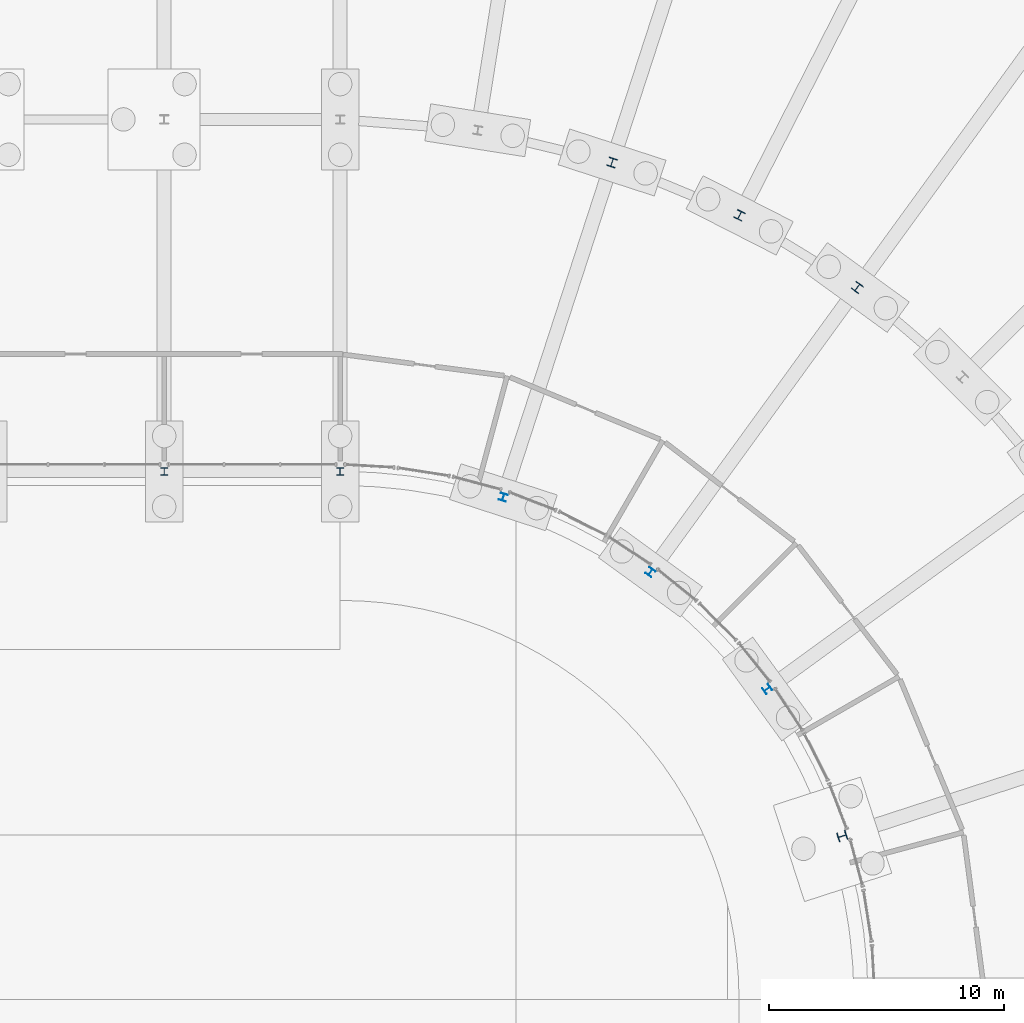
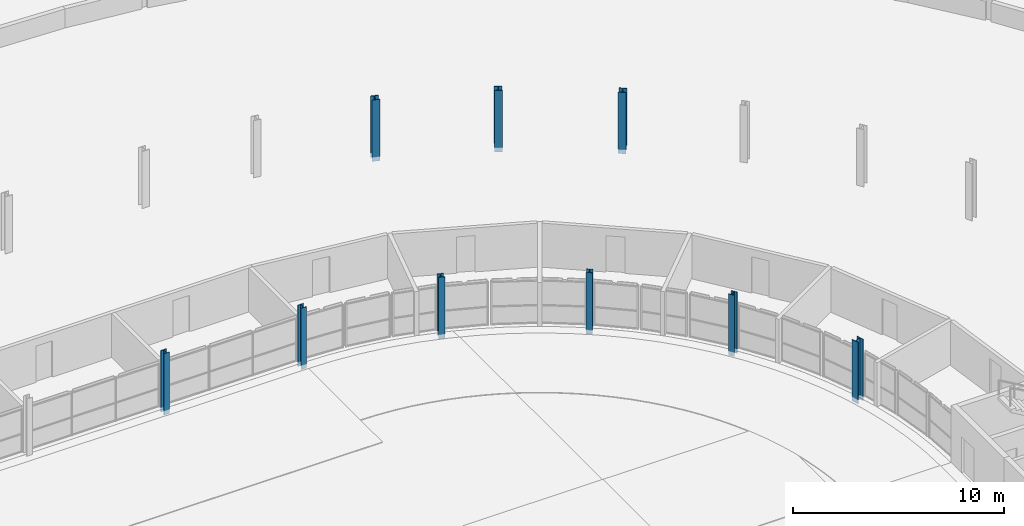
# One storey, part 34 of 130: 9 columns.
"""IFC4 building model written with IfcOpenShell, lengths in metres."""

from ifc_helpers import new_model, si_unit, direction, frame, origin, origin_2d, place, context, subcontext, project, spatial, i_section, extrude, material, material_profile, profile_set, type_object, element, save


model = new_model("IFC4")

# Units and contexts
model_context = context("Model", 3, precision=1e-05, world=origin(), true_north=direction((0.0, 1.0)))
body_context = subcontext(model_context, "Body", "Model", "MODEL_VIEW")
ifc_project = project(units=[si_unit("LENGTHUNIT", "METRE"), si_unit("AREAUNIT", "SQUARE_METRE"), si_unit("VOLUMEUNIT", "CUBIC_METRE"), si_unit("PLANEANGLEUNIT", "RADIAN"), si_unit("MASSUNIT", "GRAM", prefix="KILO")], contexts=[model_context])

# Site, building, storey
site_placement = place(None, origin())
site = spatial("IfcSite", under=ifc_project, at=site_placement, CompositionType="ELEMENT")
building_placement = place(site_placement, origin())
building = spatial("IfcBuilding", under=site, at=building_placement, Name="Parallax Yard Mobility Hub", CompositionType="ELEMENT")
storey_placement = place(building_placement, origin())
storey = spatial("IfcBuildingStorey", under=building, at=storey_placement, Name="L00", CompositionType="ELEMENT", Elevation=0.0)

# Columns
ifc_material = material(Name="Steel ASTM A992", Category="steel")
ifc_material_profile_1 = material_profile(ifc_material, i_section(OverallWidth=0.306884765625, OverallDepth=0.318115234375, WebThickness=0.01318359375, FlangeThickness=0.0205078125, FilletRadius=0.01513671875, at=origin_2d()), Name="W310x129")
ifc_profile_set_1 = profile_set([ifc_material_profile_1], Name="Steel ASTM A992")
column_type_1 = type_object("IfcColumnType", Name="W310x129 column", PredefinedType="COLUMN", material=ifc_profile_set_1)
for number, where, z_axis, x_axis, name in (
    (1, (165.0, 112.5, -0.25), (0.0, 0.0, 1.0), (1.0, 0.0, 0.0), "Column C3 level L00 at R/23 of ramped parking decks"),
    (2, (172.5, 112.5, -0.25), (0.0, 0.0, 1.0), (1.0, 0.0, 0.0), "Column C3 level L00 at R/24 of ramped parking decks"),
    (3, (179.452880859375, 111.398681640625, -0.25), (0.0, 0.0, 1.0), (-0.951056516295, 0.309016994375, 0.0), "Column C3 level L00 at RA/R2 of ramped parking decks"),
    (4, (185.72509765625, 108.202880859375, -0.25), (0.0, 0.0, 1.0), (-0.809016994375, 0.587785252292, 0.0), "Column C3 level L00 at RA/R4 of ramped parking decks"),
    (5, (190.702880859375, 103.22509765625, -0.25), (0.0, 0.0, 1.0), (-0.587785252292, 0.809016994375, 0.0), "Column C3 level L00 at RA/R6 of ramped parking decks"),
):
    element("IfcColumn", number, at=place(storey_placement, frame(where, z_axis=z_axis, x_axis=x_axis)), inside=storey, type_object=column_type_1, Name=name, PredefinedType="COLUMN", context=body_context, shape_type="SweptSolid", body=[
        extrude(i_section(OverallWidth=0.306884765625, OverallDepth=0.318115234375, WebThickness=0.01318359375, FlangeThickness=0.0205078125, FilletRadius=0.01513671875, at=origin_2d()), origin(), (0.0, 0.0, 1.0), 3.550048828125),
    ])
ifc_material_profile_2 = material_profile(ifc_material, i_section(OverallWidth=0.373046875, OverallDepth=0.373046875, WebThickness=0.016357421875, FlangeThickness=0.026123046875, FilletRadius=0.01513671875, at=origin_2d()), Name="W360x196")
ifc_profile_set_2 = profile_set([ifc_material_profile_2], Name="Steel ASTM A992")
column_type_2 = type_object("IfcColumnType", Name="W360x196 column", PredefinedType="COLUMN", material=ifc_profile_set_2)
for number, where, z_axis, x_axis, name in (
    (6, (184.088134765625, 125.66455078125, -0.25), (0.0, 0.0, 1.0), (-0.951056516295, 0.309016994375, 0.0), "Column C8 level L00 at RB/R2 of ramped parking decks"),
    (7, (189.524658203125, 123.41259765625, -0.25), (0.0, 0.0, 1.0), (-0.891006524188, 0.45399049974, 0.0), "Column C8 level L00 at RB/R3 of ramped parking decks"),
    (8, (194.5419921875, 120.338134765625, -0.25), (0.0, 0.0, 1.0), (-0.809016994375, 0.587785252292, 0.0), "Column C8 level L00 at RB/R4 of ramped parking decks"),
):
    element("IfcColumn", number, at=place(storey_placement, frame(where, z_axis=z_axis, x_axis=x_axis)), inside=storey, type_object=column_type_2, Name=name, PredefinedType="COLUMN", context=body_context, shape_type="SweptSolid", body=[
        extrude(i_section(OverallWidth=0.373046875, OverallDepth=0.373046875, WebThickness=0.016357421875, FlangeThickness=0.026123046875, FilletRadius=0.01513671875, at=origin_2d()), origin(), (0.0, 0.0, 1.0), 3.550048828125),
    ])
ifc_material_profile_3 = material_profile(ifc_material, i_section(OverallWidth=0.39599609375, OverallDepth=0.381103515625, WebThickness=0.018798828125, FlangeThickness=0.0302734375, FilletRadius=0.015380859375, at=origin_2d()), Name="W360x237")
ifc_profile_set_3 = profile_set([ifc_material_profile_3], Name="Steel ASTM A992")
column_type_3 = type_object("IfcColumnType", Name="W360x237 column", PredefinedType="COLUMN", material=ifc_profile_set_3)
column_placement = place(storey_placement, frame((193.898681640625, 96.952880859375, -0.25), z_axis=(0.0, 0.0, 1.0), x_axis=(-0.309016994375, 0.951056516295, 0.0)))
element("IfcColumn", 9, at=column_placement, inside=storey, type_object=column_type_3, Name="Column C10 level L00 at RA/R8 of ramped parking decks", PredefinedType="COLUMN", context=body_context, shape_type="SweptSolid", body=[
    extrude(i_section(OverallWidth=0.39599609375, OverallDepth=0.381103515625, WebThickness=0.018798828125, FlangeThickness=0.0302734375, FilletRadius=0.015380859375, at=origin_2d()), origin(), (0.0, 0.0, 1.0), 3.550048828125),
])

save(model, "model.ifc")
